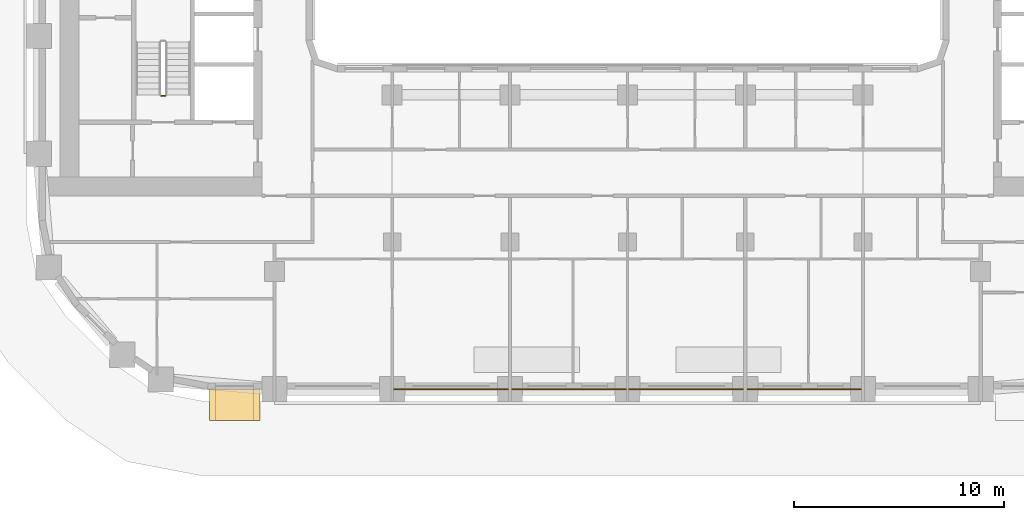
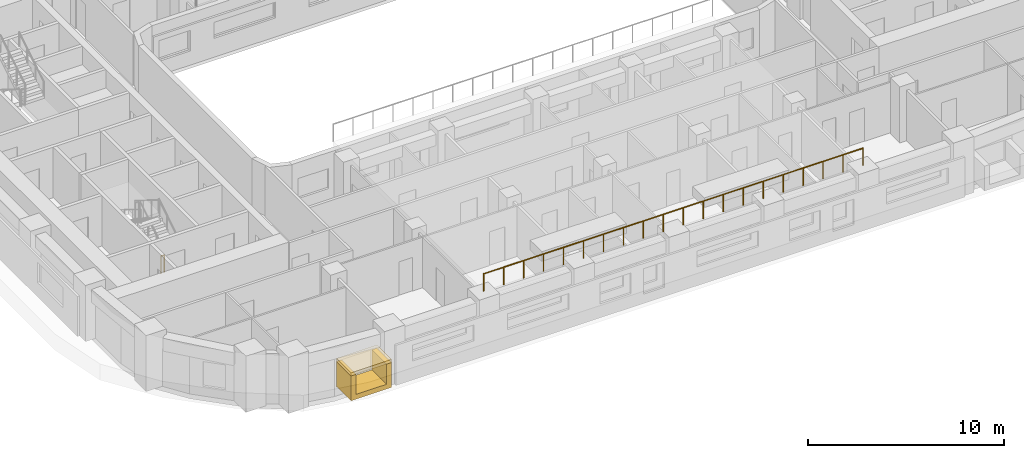
# One storey, part 12 of 18: 2 coverings, 2 railings.
"""IFC4 building model written with IfcOpenShell, lengths in metres."""

from ifc_helpers import new_model, si_unit, direction, frame, origin, origin_2d, place, context, subcontext, project, spatial, polyline, rectangle, circle, outline, extrude, material, layer, layer_set, type_object, element, save


model = new_model("IFC4")

# Units and contexts
model_context = context("Model", 3, precision=1e-05, world=origin(), true_north=direction((0.0, 1.0)))
body_context = subcontext(model_context, "Body", "Model", "MODEL_VIEW")
ifc_project = project(units=[si_unit("LENGTHUNIT", "METRE"), si_unit("AREAUNIT", "SQUARE_METRE"), si_unit("VOLUMEUNIT", "CUBIC_METRE"), si_unit("PLANEANGLEUNIT", "RADIAN"), si_unit("MASSUNIT", "GRAM", prefix="KILO")], contexts=[model_context])

# Site, building, storey
site_placement = place(None, origin())
site = spatial("IfcSite", under=ifc_project, at=site_placement, CompositionType="ELEMENT")
building_placement = place(site_placement, origin())
building = spatial("IfcBuilding", under=site, at=building_placement, Name="Kiln Ring Residences", CompositionType="ELEMENT")
storey_placement = place(building_placement, frame((0.0, 0.0, 121.800048828125)))
storey = spatial("IfcBuildingStorey", under=building, at=storey_placement, Name="L31", CompositionType="ELEMENT", Elevation=121.800048828125)

# Railing
ifc_material_1 = material(Name="Stainless steel", Category="steel")
railing_type_1 = type_object("IfcRailingType", Name="CORE-STAIR-GUARD", PredefinedType="GUARDRAIL", material=ifc_material_1)
railing_1_placement = place(storey_placement, frame((-22.0, -8.449951171875, 0.0)))
element("IfcRailing", 1, at=railing_1_placement, inside=storey, type_object=railing_type_1, Name="L31 W-STS stair guard 4", PredefinedType="GUARDRAIL", context=body_context, shape_type="SweptSolid", body=[
    extrude(circle(Radius=0.02392578125, at=origin_2d()), frame((0.0, 0.0, 1.076171875), z_axis=(-1.0, 0.0, 0.0), x_axis=(0.0, -1.0, 0.0)), (0.0, 0.0, 1.0), 0.199951171875),
    extrude(circle(Radius=0.02099609375, at=origin_2d()), origin(), (0.0, 0.0, 1.0), 1.052001953125),
    extrude(circle(Radius=0.02099609375, at=origin_2d()), frame((-0.199951171875, 0.0, 0.0)), (0.0, 0.0, 1.0), 1.052001953125),
])

# Coverings
ifc_material_2 = material(Name="Brick masonry, dark clay brick", Category="masonry")
ifc_layer_1 = layer(ifc_material_2, 0.300048828125)
ifc_layer_set_1 = layer_set([ifc_layer_1], Name="FRAME CHEEKS AND SILL 1500")
covering_type_1 = type_object("IfcCoveringType", Name="FRAME CHEEKS AND SILL 1500", PredefinedType="CLADDING", material=ifc_layer_set_1)
covering_1_placement = place(storey_placement, frame((-19.89990234375, -23.14990234375, 0.599853515625), z_axis=(0.0, 0.0, 1.0), x_axis=(1.0, 0.0, 0.0)))
element("IfcCovering", 2, at=covering_1_placement, inside=storey, type_object=covering_type_1, Name="FRAME L31", PredefinedType="CLADDING", context=body_context, shape_type="SweptSolid", body=[
    extrude(outline(polyline([(0.0, 0.0), (2.39990234375, 0.0), (2.39990234375, 1.550048828125), (2.10107421875, 1.550048828125), (2.10009765625, 0.300048828125), (0.300048828125, 0.300048828125), (0.299072265625, 1.550048828125), (0.0, 1.550048828125), (0.0, 0.0)])), frame((0.0, 0.75, 0.0), z_axis=(0.0, -1.0, 0.0), x_axis=(1.0, 0.0, 0.0)), (0.0, 0.0, 1.0), 1.5),
])
ifc_material_3 = material(Name="Brick masonry, dark clay brick", Category="masonry")
ifc_layer_2 = layer(ifc_material_3, 0.199951171875)
ifc_layer_set_2 = layer_set([ifc_layer_2], Name="FRAME HEAD 1500")
covering_type_2 = type_object("IfcCoveringType", Name="FRAME HEAD 1500", PredefinedType="CLADDING", material=ifc_layer_set_2)
covering_2_placement = place(storey_placement, frame((-18.699951171875, -23.14990234375, 2.14990234375), z_axis=(0.0, 0.0, 1.0), x_axis=(1.0, 0.0, 0.0)))
element("IfcCovering", 3, at=covering_2_placement, inside=storey, type_object=covering_type_2, Name="FRAME HEAD L31", PredefinedType="CLADDING", context=body_context, shape_type="SweptSolid", body=[
    extrude(rectangle(XDim=2.39990234375, YDim=1.5, at=origin_2d()), origin(), (0.0, 0.0, 1.0), 0.199951171875),
])

# Railing
ifc_material_4 = material(Name="Black powder-coated steel", Category="steel")
railing_type_2 = type_object("IfcRailingType", Name="ROOF GUARD 1100", PredefinedType="GUARDRAIL", material=ifc_material_4)
railing_2_placement = place(storey_placement, frame((-11.199951171875, -22.39990234375, 3.5)))
element("IfcRailing", 4, at=railing_2_placement, inside=storey, type_object=railing_type_2, Name="GUARD L31 sky portal terrace", PredefinedType="GUARDRAIL", context=body_context, shape_type="SweptSolid", body=[
    extrude(circle(Radius=0.02392578125, at=origin_2d()), frame((0.0, 0.0, 1.076171875), z_axis=(1.0, 0.0, 0.0), x_axis=(0.0, 1.0, 0.0)), (0.0, 0.0, 1.0), 22.39990234375),
    extrude(circle(Radius=0.02099609375, at=origin_2d()), origin(), (0.0, 0.0, 1.0), 1.052001953125),
    extrude(circle(Radius=0.02099609375, at=origin_2d()), frame((1.178955078125, 0.0, 0.0)), (0.0, 0.0, 1.0), 1.052001953125),
    extrude(circle(Radius=0.02099609375, at=origin_2d()), frame((2.35791015625, 0.0, 0.0)), (0.0, 0.0, 1.0), 1.052001953125),
    extrude(circle(Radius=0.02099609375, at=origin_2d()), frame((3.536865234375, 0.0, 0.0)), (0.0, 0.0, 1.0), 1.052001953125),
    extrude(circle(Radius=0.02099609375, at=origin_2d()), frame((4.7158203125, 0.0, 0.0)), (0.0, 0.0, 1.0), 1.052001953125),
    extrude(circle(Radius=0.02099609375, at=origin_2d()), frame((5.894775390625, 0.0, 0.0)), (0.0, 0.0, 1.0), 1.052001953125),
    extrude(circle(Radius=0.02099609375, at=origin_2d()), frame((7.07373046875, 0.0, 0.0)), (0.0, 0.0, 1.0), 1.052001953125),
    extrude(circle(Radius=0.02099609375, at=origin_2d()), frame((8.252685546875, 0.0, 0.0)), (0.0, 0.0, 1.0), 1.052001953125),
    extrude(circle(Radius=0.02099609375, at=origin_2d()), frame((9.431640625, 0.0, 0.0)), (0.0, 0.0, 1.0), 1.052001953125),
    extrude(circle(Radius=0.02099609375, at=origin_2d()), frame((10.610595703125, 0.0, 0.0)), (0.0, 0.0, 1.0), 1.052001953125),
    extrude(circle(Radius=0.02099609375, at=origin_2d()), frame((11.789306640625, 0.0, 0.0)), (0.0, 0.0, 1.0), 1.052001953125),
    extrude(circle(Radius=0.02099609375, at=origin_2d()), frame((12.96826171875, 0.0, 0.0)), (0.0, 0.0, 1.0), 1.052001953125),
    extrude(circle(Radius=0.02099609375, at=origin_2d()), frame((14.147216796875, 0.0, 0.0)), (0.0, 0.0, 1.0), 1.052001953125),
    extrude(circle(Radius=0.02099609375, at=origin_2d()), frame((15.326171875, 0.0, 0.0)), (0.0, 0.0, 1.0), 1.052001953125),
    extrude(circle(Radius=0.02099609375, at=origin_2d()), frame((16.505126953125, 0.0, 0.0)), (0.0, 0.0, 1.0), 1.052001953125),
    extrude(circle(Radius=0.02099609375, at=origin_2d()), frame((17.68408203125, 0.0, 0.0)), (0.0, 0.0, 1.0), 1.052001953125),
    extrude(circle(Radius=0.02099609375, at=origin_2d()), frame((18.863037109375, 0.0, 0.0)), (0.0, 0.0, 1.0), 1.052001953125),
    extrude(circle(Radius=0.02099609375, at=origin_2d()), frame((20.0419921875, 0.0, 0.0)), (0.0, 0.0, 1.0), 1.052001953125),
    extrude(circle(Radius=0.02099609375, at=origin_2d()), frame((21.220947265625, 0.0, 0.0)), (0.0, 0.0, 1.0), 1.052001953125),
    extrude(circle(Radius=0.02099609375, at=origin_2d()), frame((22.39990234375, 0.0, 0.0)), (0.0, 0.0, 1.0), 1.052001953125),
])

save(model, "model.ifc")
